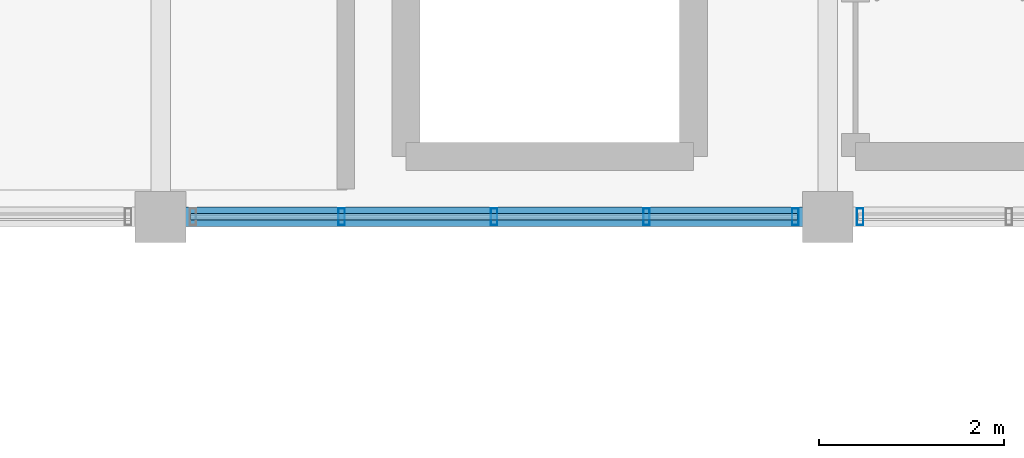
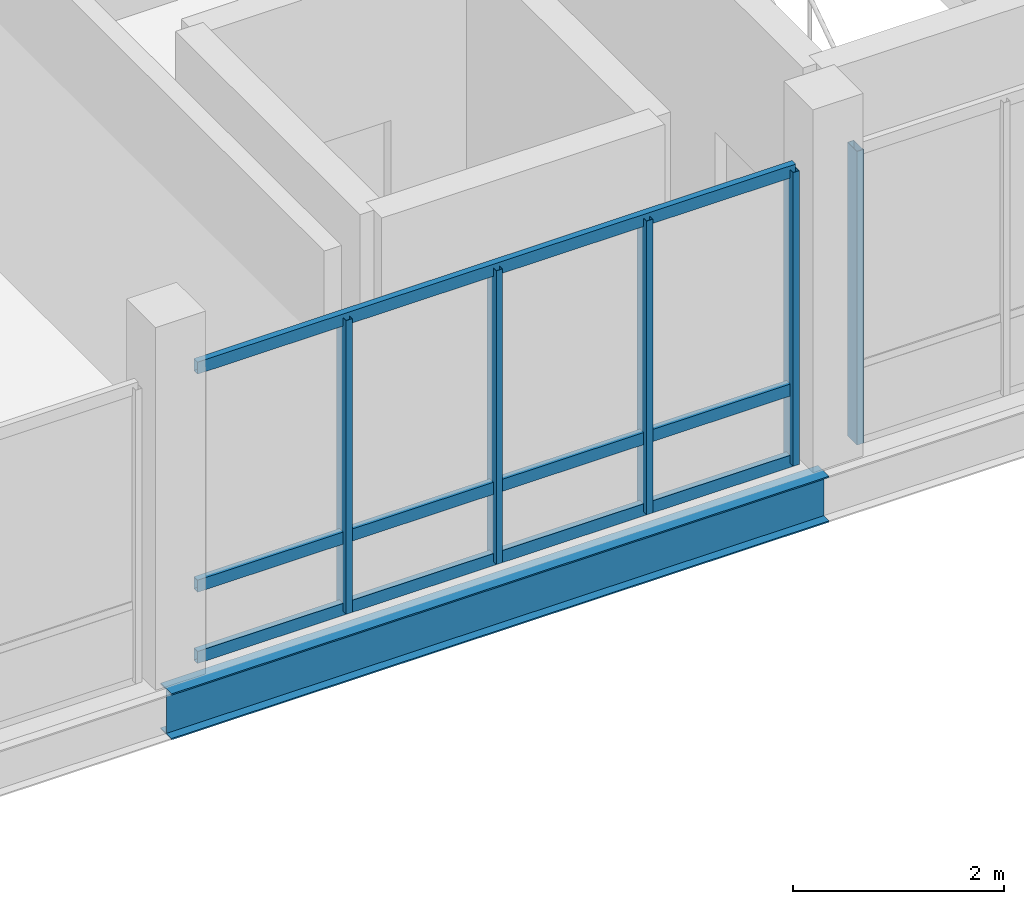
# One storey, part 15 of 47: 8 members, 1 beam, 2 elements without a shape of their own.
"""IFC4 building model written with IfcOpenShell, lengths in metres."""

from ifc_helpers import new_model, si_unit, direction, frame, origin, origin_2d, place, context, subcontext, project, spatial, hollow_rectangle, i_section, extrude, material, material_profile, profile_set, type_object, element, aggregate, save


model = new_model("IFC4")

# Units and contexts
model_context = context("Model", 3, precision=1e-05, world=origin(), true_north=direction((0.0, 1.0)))
body_context = subcontext(model_context, "Body", "Model", "MODEL_VIEW")
ifc_project = project(units=[si_unit("LENGTHUNIT", "METRE"), si_unit("AREAUNIT", "SQUARE_METRE"), si_unit("VOLUMEUNIT", "CUBIC_METRE"), si_unit("PLANEANGLEUNIT", "RADIAN"), si_unit("MASSUNIT", "GRAM", prefix="KILO")], contexts=[model_context])

# Site, building, storey
site_placement = place(None, origin())
site = spatial("IfcSite", under=ifc_project, at=site_placement, CompositionType="ELEMENT")
building_placement = place(site_placement, origin())
building = spatial("IfcBuilding", under=site, at=building_placement, Name="Yarey Park Central Fire Station", CompositionType="ELEMENT")
storey_placement = place(building_placement, frame((0.0, 0.0, 18.0)))
storey = spatial("IfcBuildingStorey", under=building, at=storey_placement, Name="L05", CompositionType="ELEMENT", Elevation=18.0)

# Curtain wall, members
ifc_material_1 = material(Name="Anodized Aluminium Frame", Category="aluminium")
curtain_wall_type = type_object("IfcCurtainWallType", Name="ENV_CW_HQ_L05", PredefinedType="NOTDEFINED", material=ifc_material_1)
curtain_wall_1_placement = place(storey_placement, origin())
curtain_wall_1 = element("IfcCurtainWall", 1, at=curtain_wall_1_placement, inside=storey, type_object=curtain_wall_type, Name="CW_L05_V4_S_3", PredefinedType="NOTDEFINED")
ifc_material_profile_1 = material_profile(ifc_material_1, hollow_rectangle(XDim=0.070068359375, YDim=0.179931640625, WallThickness=0.00390625, at=origin_2d()), Name="ALU 180x70x4")
ifc_profile_set_1 = profile_set([ifc_material_profile_1], Name="Anodized Aluminium Frame")
member_type_1 = type_object("IfcMemberType", Name="ENV_CW_MULLION", PredefinedType="MULLION", material=ifc_profile_set_1)
member_1_placement = place(storey_placement, frame((131.554931640625, 93.60009765625, 0.0), z_axis=(0.0, 0.0, 1.0), x_axis=(1.0, 0.0, 0.0)))
member_1 = element("IfcMember", 2, at=member_1_placement, type_object=member_type_1, Name="CW_L05_V4_S_3_MUL2", PredefinedType="MULLION", context=body_context, shape_type="SweptSolid", body=[
    extrude(hollow_rectangle(XDim=0.070068359375, YDim=0.179931640625, WallThickness=0.00390625, at=origin_2d()), origin(), (0.0, 0.0, 1.0), 3.39990234375),
])
member_2_placement = place(storey_placement, frame((133.199951171875, 93.60009765625, 0.0), z_axis=(0.0, 0.0, 1.0), x_axis=(1.0, 0.0, 0.0)))
member_2 = element("IfcMember", 3, at=member_2_placement, type_object=member_type_1, Name="CW_L05_V4_S_3_MUL3", PredefinedType="MULLION", context=body_context, shape_type="SweptSolid", body=[
    extrude(hollow_rectangle(XDim=0.070068359375, YDim=0.179931640625, WallThickness=0.00390625, at=origin_2d()), origin(), (0.0, 0.0, 1.0), 3.39990234375),
])
member_3_placement = place(storey_placement, frame((134.844970703125, 93.60009765625, 0.0), z_axis=(0.0, 0.0, 1.0), x_axis=(1.0, 0.0, 0.0)))
member_3 = element("IfcMember", 4, at=member_3_placement, type_object=member_type_1, Name="CW_L05_V4_S_3_MUL4", PredefinedType="MULLION", context=body_context, shape_type="SweptSolid", body=[
    extrude(hollow_rectangle(XDim=0.070068359375, YDim=0.179931640625, WallThickness=0.00390625, at=origin_2d()), origin(), (0.0, 0.0, 1.0), 3.39990234375),
])
member_4_placement = place(storey_placement, frame((136.449951171875, 93.60009765625, 0.0), z_axis=(0.0, 0.0, 1.0), x_axis=(1.0, 0.0, 0.0)))
member_4 = element("IfcMember", 5, at=member_4_placement, type_object=member_type_1, Name="CW_L05_V4_S_3_MUL5", PredefinedType="MULLION", context=body_context, shape_type="SweptSolid", body=[
    extrude(hollow_rectangle(XDim=0.070068359375, YDim=0.179931640625, WallThickness=0.00390625, at=origin_2d()), origin(), (0.0, 0.0, 1.0), 3.39990234375),
])

# Curtain wall, member
curtain_wall_2_placement = place(storey_placement, origin())
curtain_wall_2 = element("IfcCurtainWall", 6, at=curtain_wall_2_placement, inside=storey, type_object=curtain_wall_type, Name="CW_L05_V4_S_4", PredefinedType="NOTDEFINED")
member_5_placement = place(storey_placement, frame((137.14990234375, 93.60009765625, 0.0), z_axis=(0.0, 0.0, 1.0), x_axis=(1.0, 0.0, 0.0)))
member_5 = element("IfcMember", 7, at=member_5_placement, type_object=member_type_1, Name="CW_L05_V4_S_4_MUL1", PredefinedType="MULLION", context=body_context, shape_type="SweptSolid", body=[
    extrude(hollow_rectangle(XDim=0.070068359375, YDim=0.179931640625, WallThickness=0.00390625, at=origin_2d()), origin(), (0.0, 0.0, 1.0), 3.39990234375),
])
aggregate(curtain_wall_2, [member_5])

# Member
ifc_material_profile_2 = material_profile(ifc_material_1, hollow_rectangle(XDim=0.070068359375, YDim=0.139892578125, WallThickness=0.00390625, at=origin_2d()), Name="ALU 140x70x4")
ifc_profile_set_2 = profile_set([ifc_material_profile_2], Name="Anodized Aluminium Frame")
member_type_2 = type_object("IfcMemberType", Name="ENV_CW_TRANSOM", PredefinedType="USERDEFINED", material=ifc_profile_set_2)
member_6_placement = place(storey_placement, frame((129.925048828125, 93.60009765625, 0.02490234375), z_axis=(1.0, 0.0, 0.0), x_axis=(0.0, 1.0, 0.0)))
member_6 = element("IfcMember", 8, at=member_6_placement, type_object=member_type_2, Name="CW_L05_V4_S_3_TRN1", ObjectType="TRANSOM", PredefinedType="USERDEFINED", context=body_context, shape_type="SweptSolid", body=[
    extrude(hollow_rectangle(XDim=0.070068359375, YDim=0.139892578125, WallThickness=0.00390625, at=origin_2d()), origin(), (0.0, 0.0, 1.0), 6.550048828125),
])

member_7_placement = place(storey_placement, frame((129.925048828125, 93.60009765625, 0.85009765625), z_axis=(1.0, 0.0, 0.0), x_axis=(0.0, 1.0, 0.0)))
member_7 = element("IfcMember", 9, at=member_7_placement, type_object=member_type_2, Name="CW_L05_V4_S_3_TRN2", ObjectType="TRANSOM", PredefinedType="USERDEFINED", context=body_context, shape_type="SweptSolid", body=[
    extrude(hollow_rectangle(XDim=0.070068359375, YDim=0.139892578125, WallThickness=0.00390625, at=origin_2d()), origin(), (0.0, 0.0, 1.0), 6.550048828125),
])

member_8_placement = place(storey_placement, frame((129.925048828125, 93.60009765625, 3.375), z_axis=(1.0, 0.0, 0.0), x_axis=(0.0, 1.0, 0.0)))
member_8 = element("IfcMember", 10, at=member_8_placement, type_object=member_type_2, Name="CW_L05_V4_S_3_TRN3", ObjectType="TRANSOM", PredefinedType="USERDEFINED", context=body_context, shape_type="SweptSolid", body=[
    extrude(hollow_rectangle(XDim=0.070068359375, YDim=0.139892578125, WallThickness=0.00390625, at=origin_2d()), origin(), (0.0, 0.0, 1.0), 6.550048828125),
])

aggregate(curtain_wall_1, [member_1, member_2, member_3, member_4, member_6, member_7, member_8])

# Beam
ifc_material_2 = material(Name="Steel ASTM A992 Gr. 50", Category="steel")
ifc_material_profile_3 = material_profile(ifc_material_2, i_section(OverallWidth=0.208984375, OverallDepth=0.532958984375, WebThickness=0.01025390625, FlangeThickness=0.015625, at=origin_2d()), Name="W530x92")
ifc_profile_set_3 = profile_set([ifc_material_profile_3], Name="Steel ASTM A992 Gr. 50")
beam_type = type_object("IfcBeamType", Name="STR_BM_W530", PredefinedType="BEAM", material=ifc_profile_set_3)
beam_placement = place(storey_placement, frame((129.60009765625, 93.60009765625, -0.506591796875), z_axis=(1.0, 0.0, 0.0), x_axis=(0.0, 1.0, 0.0)))
element("IfcBeam", 11, at=beam_placement, inside=storey, type_object=beam_type, Name="BMX L05 Y936 X1296", PredefinedType="BEAM", context=body_context, shape_type="SweptSolid", body=[
    extrude(i_section(OverallWidth=0.208984375, OverallDepth=0.532958984375, WebThickness=0.01025390625, FlangeThickness=0.015625, at=origin_2d()), origin(), (0.0, 0.0, 1.0), 7.199951171875),
])

save(model, "model.ifc")
